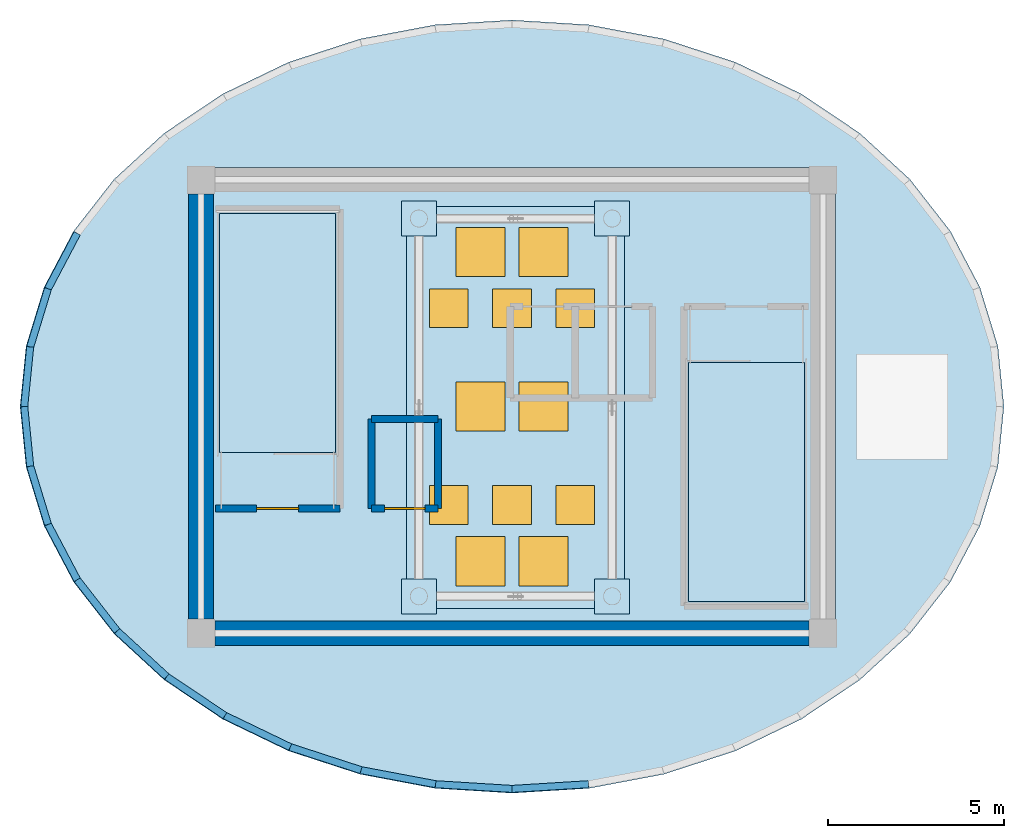
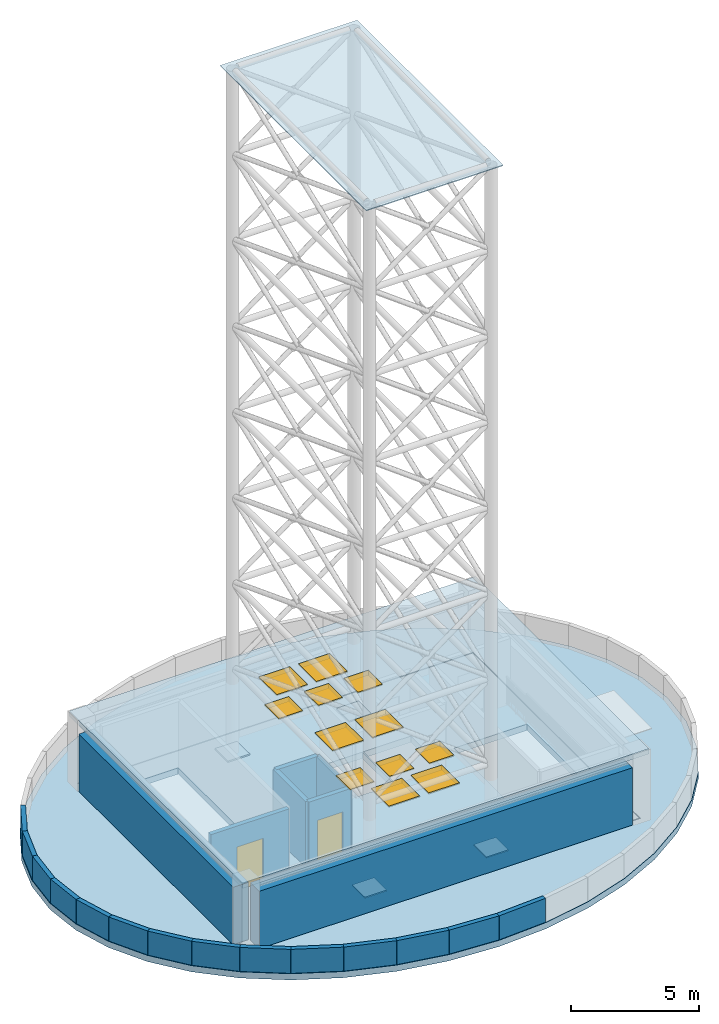
# One storey, part 3 of 6: 21 walls, 12 windows, 5 plates, 3 slabs, 2 doors, 14 openings.
"""IFC4 building model written with IfcOpenShell, lengths in metres."""

from ifc_helpers import new_model, si_unit, direction, frame, frame_2d, origin, origin_2d, place, context, subcontext, project, spatial, polyline, rectangle, outline, extrude, source, transform, mapped, material, layer, layer_set, type_object, element, fill, save


model = new_model("IFC4")

# Units and contexts
model_context = context("Model", 3, precision=1e-05, world=origin(), true_north=direction((0.0, 1.0)))
body_context = subcontext(model_context, "Body", "Model", "MODEL_VIEW")
ifc_project = project(units=[si_unit("LENGTHUNIT", "METRE"), si_unit("AREAUNIT", "SQUARE_METRE"), si_unit("VOLUMEUNIT", "CUBIC_METRE"), si_unit("PLANEANGLEUNIT", "RADIAN"), si_unit("MASSUNIT", "GRAM", prefix="KILO")], contexts=[model_context])

# Site, building, storey
site_placement = place(None, origin())
site = spatial("IfcSite", under=ifc_project, at=site_placement, CompositionType="ELEMENT")
building_placement = place(site_placement, origin())
building = spatial("IfcBuilding", under=site, at=building_placement, Name="Linh Dai School and Residence Tower", CompositionType="ELEMENT")
storey_placement = place(building_placement, frame((0.0, 0.0, 373.199951171875)))
storey = spatial("IfcBuildingStorey", under=building, at=storey_placement, Name="RF", CompositionType="ELEMENT", Elevation=373.199951171875)

# Slabs
ifc_material_1 = material(Name="Concrete B45 (C35/45)", Category="concrete")
ifc_layer_1 = layer(ifc_material_1, 0.300048828125)
ifc_layer_set_1 = layer_set([ifc_layer_1], Name="Concrete B45 (C35/45)")
slab_type_1 = type_object("IfcSlabType", Name="SLB-FLR300", PredefinedType="FLOOR", material=ifc_layer_set_1)
slab_1_placement = place(storey_placement, frame((0.0, 0.0, -0.300048828125)))
element("IfcSlab", 1, at=slab_1_placement, inside=storey, type_object=slab_type_1, Name="RF Mast Access Vestibule Structural Floor Slab", PredefinedType="FLOOR", context=body_context, shape_type="SweptSolid", body=[
    extrude(outline(polyline([(27.080078125, 20.47998046875), (44.919921875, 20.47998046875), (44.919921875, 33.52001953125), (27.080078125, 33.52001953125), (27.080078125, 20.47998046875)]), holes=[polyline([(30.97998046875, 25.699951171875), (30.97998046875, 32.5), (27.679931640625, 32.5), (27.679931640625, 25.699951171875), (30.97998046875, 25.699951171875)]), polyline([(41.02001953125, 28.25), (41.02001953125, 21.449951171875), (44.320068359375, 21.449951171875), (44.320068359375, 28.25), (41.02001953125, 28.25)]), polyline([(35.97998046875, 27.280029296875), (37.77001953125, 27.280029296875), (37.77001953125, 29.820068359375), (35.97998046875, 29.820068359375), (35.97998046875, 27.280029296875)]), polyline([(32.030029296875, 24.1298828125), (33.8701171875, 24.1298828125), (33.8701171875, 26.6201171875), (32.030029296875, 26.6201171875), (32.030029296875, 24.1298828125)]), polyline([(37.830078125, 27.280029296875), (39.969970703125, 27.280029296875), (39.969970703125, 29.820068359375), (37.830078125, 29.820068359375), (37.830078125, 27.280029296875)])]), origin(), (0.0, 0.0, 1.0), 0.300048828125),
])
ifc_layer_2 = layer(ifc_material_1, 0.300048828125)
ifc_layer_set_2 = layer_set([ifc_layer_2], Name="Concrete B45 (C35/45)")
slab_type_2 = type_object("IfcSlabType", Name="SLB-ROOF300", PredefinedType="ROOF", material=ifc_layer_set_2)
slab_2_placement = place(storey_placement, frame((0.0, 0.0, -0.300048828125)))
element("IfcSlab", 2, at=slab_2_placement, inside=storey, type_object=slab_type_2, Name="RF Crown Plant Drum Structural Roof Slab", PredefinedType="ROOF", context=body_context, shape_type="SweptSolid", body=[
    extrude(outline(polyline([(50.0, 27.0), (49.82763671875, 28.720703125), (49.314697265625, 30.399169921875), (48.47412109375, 31.993896484375), (47.326171875, 33.465576171875), (45.8994140625, 34.778076171875), (44.22900390625, 35.899169921875), (42.35595703125, 36.801025390625), (40.326171875, 37.461669921875), (38.190185546875, 37.864501953125), (36.0, 38.0), (33.809814453125, 37.864501953125), (31.673828125, 37.461669921875), (29.64404296875, 36.801025390625), (27.77099609375, 35.899169921875), (26.1005859375, 34.778076171875), (24.673828125, 33.465576171875), (23.52587890625, 31.993896484375), (22.685302734375, 30.399169921875), (22.17236328125, 28.720703125), (22.0, 27.0), (22.17236328125, 25.279296875), (22.685302734375, 23.600830078125), (23.52587890625, 22.006103515625), (24.673828125, 20.534423828125), (26.1005859375, 19.221923828125), (27.77099609375, 18.100830078125), (29.64404296875, 17.198974609375), (31.673828125, 16.538330078125), (33.809814453125, 16.135498046875), (36.0, 16.0), (38.190185546875, 16.135498046875), (40.326171875, 16.538330078125), (42.35595703125, 17.198974609375), (44.22900390625, 18.100830078125), (45.8994140625, 19.221923828125), (47.326171875, 20.534423828125), (48.47412109375, 22.006103515625), (49.314697265625, 23.600830078125), (49.82763671875, 25.279296875), (50.0, 27.0)]), holes=[polyline([(27.050048828125, 20.449951171875), (44.949951171875, 20.449951171875), (44.949951171875, 33.550048828125), (27.050048828125, 33.550048828125), (27.050048828125, 20.449951171875)])]), origin(), (0.0, 0.0, 1.0), 0.300048828125),
])

# Slab, openings, windows
ifc_layer_3 = layer(ifc_material_1, 0.25)
ifc_layer_set_3 = layer_set([ifc_layer_3], Name="Concrete B45 (C35/45)")
slab_type_3 = type_object("IfcSlabType", Name="SLB-VCAP250", PredefinedType="USERDEFINED", material=ifc_layer_set_3)
slab_3_placement = place(storey_placement, frame((0.0, 0.0, 3.150146484375)))
slab_3 = element("IfcSlab", 3, at=slab_3_placement, inside=storey, type_object=slab_type_3, Name="RF Mast Access Vestibule Cap Slab", ObjectType="HEADHOUSE CAP", PredefinedType="USERDEFINED", context=body_context, shape_type="SweptSolid", body=[
    extrude(outline(polyline([(26.800048828125, 20.199951171875), (45.199951171875, 20.199951171875), (45.199951171875, 33.800048828125), (26.800048828125, 33.800048828125), (26.800048828125, 20.199951171875)])), origin(), (0.0, 0.0, 1.0), 0.25),
])
opening_1_placement = place(slab_3_placement, frame((34.199951171875, 24.199951171875, -0.010009765625)))
opening_1 = element("IfcOpeningElement", 4, at=opening_1_placement, cuts=slab_3, Name="Opening RH1", PredefinedType="OPENING", context=body_context, shape_type="SweptSolid", body=[
    extrude(rectangle(XDim=1.10009765625, YDim=1.10009765625, at=origin_2d()), origin(), (0.0, 0.0, 1.0), 0.27001953125),
])
opening_2_placement = place(slab_3_placement, frame((36.0, 24.199951171875, -0.010009765625)))
opening_2 = element("IfcOpeningElement", 5, at=opening_2_placement, cuts=slab_3, Name="Opening RH1", PredefinedType="OPENING", context=body_context, shape_type="SweptSolid", body=[
    extrude(rectangle(XDim=1.10009765625, YDim=1.10009765625, at=origin_2d()), origin(), (0.0, 0.0, 1.0), 0.27001953125),
])
opening_3_placement = place(slab_3_placement, frame((37.800048828125, 24.199951171875, -0.010009765625)))
opening_3 = element("IfcOpeningElement", 6, at=opening_3_placement, cuts=slab_3, Name="Opening RH1", PredefinedType="OPENING", context=body_context, shape_type="SweptSolid", body=[
    extrude(rectangle(XDim=1.10009765625, YDim=1.10009765625, at=origin_2d()), origin(), (0.0, 0.0, 1.0), 0.27001953125),
])
opening_4_placement = place(slab_3_placement, frame((34.199951171875, 29.800048828125, -0.010009765625)))
opening_4 = element("IfcOpeningElement", 7, at=opening_4_placement, cuts=slab_3, Name="Opening RH1", PredefinedType="OPENING", context=body_context, shape_type="SweptSolid", body=[
    extrude(rectangle(XDim=1.10009765625, YDim=1.10009765625, at=origin_2d()), origin(), (0.0, 0.0, 1.0), 0.27001953125),
])
opening_5_placement = place(slab_3_placement, frame((36.0, 29.800048828125, -0.010009765625)))
opening_5 = element("IfcOpeningElement", 8, at=opening_5_placement, cuts=slab_3, Name="Opening RH1", PredefinedType="OPENING", context=body_context, shape_type="SweptSolid", body=[
    extrude(rectangle(XDim=1.10009765625, YDim=1.10009765625, at=origin_2d()), origin(), (0.0, 0.0, 1.0), 0.27001953125),
])
opening_6_placement = place(slab_3_placement, frame((37.800048828125, 29.800048828125, -0.010009765625)))
opening_6 = element("IfcOpeningElement", 9, at=opening_6_placement, cuts=slab_3, Name="Opening RH1", PredefinedType="OPENING", context=body_context, shape_type="SweptSolid", body=[
    extrude(rectangle(XDim=1.10009765625, YDim=1.10009765625, at=origin_2d()), origin(), (0.0, 0.0, 1.0), 0.27001953125),
])
opening_7_placement = place(slab_3_placement, frame((35.10009765625, 22.60009765625, -0.010009765625)))
opening_7 = element("IfcOpeningElement", 10, at=opening_7_placement, cuts=slab_3, Name="Opening W6", PredefinedType="OPENING", context=body_context, shape_type="SweptSolid", body=[
    extrude(rectangle(XDim=1.39990234375, YDim=1.39990234375, at=origin_2d()), origin(), (0.0, 0.0, 1.0), 0.27001953125),
])
opening_8_placement = place(slab_3_placement, frame((36.89990234375, 22.60009765625, -0.010009765625)))
opening_8 = element("IfcOpeningElement", 11, at=opening_8_placement, cuts=slab_3, Name="Opening W6", PredefinedType="OPENING", context=body_context, shape_type="SweptSolid", body=[
    extrude(rectangle(XDim=1.39990234375, YDim=1.39990234375, at=origin_2d()), origin(), (0.0, 0.0, 1.0), 0.27001953125),
])
opening_9_placement = place(slab_3_placement, frame((35.10009765625, 27.0, -0.010009765625)))
opening_9 = element("IfcOpeningElement", 12, at=opening_9_placement, cuts=slab_3, Name="Opening W6", PredefinedType="OPENING", context=body_context, shape_type="SweptSolid", body=[
    extrude(rectangle(XDim=1.39990234375, YDim=1.39990234375, at=origin_2d()), origin(), (0.0, 0.0, 1.0), 0.27001953125),
])
opening_10_placement = place(slab_3_placement, frame((36.89990234375, 27.0, -0.010009765625)))
opening_10 = element("IfcOpeningElement", 13, at=opening_10_placement, cuts=slab_3, Name="Opening W6", PredefinedType="OPENING", context=body_context, shape_type="SweptSolid", body=[
    extrude(rectangle(XDim=1.39990234375, YDim=1.39990234375, at=origin_2d()), origin(), (0.0, 0.0, 1.0), 0.27001953125),
])
opening_11_placement = place(slab_3_placement, frame((35.10009765625, 31.39990234375, -0.010009765625)))
opening_11 = element("IfcOpeningElement", 14, at=opening_11_placement, cuts=slab_3, Name="Opening W6", PredefinedType="OPENING", context=body_context, shape_type="SweptSolid", body=[
    extrude(rectangle(XDim=1.39990234375, YDim=1.39990234375, at=origin_2d()), origin(), (0.0, 0.0, 1.0), 0.27001953125),
])
opening_12_placement = place(slab_3_placement, frame((36.89990234375, 31.39990234375, -0.010009765625)))
opening_12 = element("IfcOpeningElement", 15, at=opening_12_placement, cuts=slab_3, Name="Opening W6", PredefinedType="OPENING", context=body_context, shape_type="SweptSolid", body=[
    extrude(rectangle(XDim=1.39990234375, YDim=1.39990234375, at=origin_2d()), origin(), (0.0, 0.0, 1.0), 0.27001953125),
])
ifc_material_2 = material(Name="Insulated Aluminium Roof Hatch", Category="aluminium")
window_type_1 = type_object("IfcWindowType", Name="WN-HT-1100x1100", PartitioningType="SINGLE_PANEL", PredefinedType="SKYLIGHT", material=ifc_material_2)
window_1_placement = place(opening_1_placement, frame((0.0, 0.0, 0.2099609375)))
window_1 = element("IfcWindow", 16, at=window_1_placement, inside=storey, type_object=window_type_1, Name="RF Roof Access Hatch 01", OverallHeight=1.10009765625, OverallWidth=1.10009765625, PartitioningType="SINGLE_PANEL", PredefinedType="SKYLIGHT", context=body_context, shape_type="SweptSolid", body=[
    extrude(rectangle(XDim=1.10009765625, YDim=1.10009765625, at=origin_2d()), origin(), (0.0, 0.0, 1.0), 0.050048828125),
])
fill(opening_1, window_1)
window_2_placement = place(opening_2_placement, frame((0.0, 0.0, 0.2099609375)))
window_2 = element("IfcWindow", 17, at=window_2_placement, inside=storey, type_object=window_type_1, Name="RF Roof Access Hatch 02", OverallHeight=1.10009765625, OverallWidth=1.10009765625, PartitioningType="SINGLE_PANEL", PredefinedType="SKYLIGHT", context=body_context, shape_type="SweptSolid", body=[
    extrude(rectangle(XDim=1.10009765625, YDim=1.10009765625, at=origin_2d()), origin(), (0.0, 0.0, 1.0), 0.050048828125),
])
fill(opening_2, window_2)
window_3_placement = place(opening_3_placement, frame((0.0, 0.0, 0.2099609375)))
window_3 = element("IfcWindow", 18, at=window_3_placement, inside=storey, type_object=window_type_1, Name="RF Roof Access Hatch 03", OverallHeight=1.10009765625, OverallWidth=1.10009765625, PartitioningType="SINGLE_PANEL", PredefinedType="SKYLIGHT", context=body_context, shape_type="SweptSolid", body=[
    extrude(rectangle(XDim=1.10009765625, YDim=1.10009765625, at=origin_2d()), origin(), (0.0, 0.0, 1.0), 0.050048828125),
])
fill(opening_3, window_3)
window_4_placement = place(opening_4_placement, frame((0.0, 0.0, 0.2099609375)))
window_4 = element("IfcWindow", 19, at=window_4_placement, inside=storey, type_object=window_type_1, Name="RF Roof Access Hatch 04", OverallHeight=1.10009765625, OverallWidth=1.10009765625, PartitioningType="SINGLE_PANEL", PredefinedType="SKYLIGHT", context=body_context, shape_type="SweptSolid", body=[
    extrude(rectangle(XDim=1.10009765625, YDim=1.10009765625, at=origin_2d()), origin(), (0.0, 0.0, 1.0), 0.050048828125),
])
fill(opening_4, window_4)
window_5_placement = place(opening_5_placement, frame((0.0, 0.0, 0.2099609375)))
window_5 = element("IfcWindow", 20, at=window_5_placement, inside=storey, type_object=window_type_1, Name="RF Roof Access Hatch 05", OverallHeight=1.10009765625, OverallWidth=1.10009765625, PartitioningType="SINGLE_PANEL", PredefinedType="SKYLIGHT", context=body_context, shape_type="SweptSolid", body=[
    extrude(rectangle(XDim=1.10009765625, YDim=1.10009765625, at=origin_2d()), origin(), (0.0, 0.0, 1.0), 0.050048828125),
])
fill(opening_5, window_5)
window_6_placement = place(opening_6_placement, frame((0.0, 0.0, 0.2099609375)))
window_6 = element("IfcWindow", 21, at=window_6_placement, inside=storey, type_object=window_type_1, Name="RF Roof Access Hatch 06", OverallHeight=1.10009765625, OverallWidth=1.10009765625, PartitioningType="SINGLE_PANEL", PredefinedType="SKYLIGHT", context=body_context, shape_type="SweptSolid", body=[
    extrude(rectangle(XDim=1.10009765625, YDim=1.10009765625, at=origin_2d()), origin(), (0.0, 0.0, 1.0), 0.050048828125),
])
fill(opening_6, window_6)
ifc_material_3 = material(Name="Laminated Safety Skylight Glazing", Category="glass")
window_type_2 = type_object("IfcWindowType", Name="WN-LD-1400x1400", PartitioningType="SINGLE_PANEL", PredefinedType="LIGHTDOME", material=ifc_material_3)
window_7_placement = place(opening_7_placement, frame((0.0, 0.0, 0.2099609375)))
window_7 = element("IfcWindow", 22, at=window_7_placement, inside=storey, type_object=window_type_2, Name="RF Vestibule Daylight Dome 01", OverallHeight=1.39990234375, OverallWidth=1.39990234375, PartitioningType="SINGLE_PANEL", PredefinedType="LIGHTDOME", context=body_context, shape_type="SweptSolid", body=[
    extrude(rectangle(XDim=1.39990234375, YDim=1.39990234375, at=origin_2d()), origin(), (0.0, 0.0, 1.0), 0.050048828125),
])
fill(opening_7, window_7)
window_8_placement = place(opening_8_placement, frame((0.0, 0.0, 0.2099609375)))
window_8 = element("IfcWindow", 23, at=window_8_placement, inside=storey, type_object=window_type_2, Name="RF Vestibule Daylight Dome 02", OverallHeight=1.39990234375, OverallWidth=1.39990234375, PartitioningType="SINGLE_PANEL", PredefinedType="LIGHTDOME", context=body_context, shape_type="SweptSolid", body=[
    extrude(rectangle(XDim=1.39990234375, YDim=1.39990234375, at=origin_2d()), origin(), (0.0, 0.0, 1.0), 0.050048828125),
])
fill(opening_8, window_8)
window_9_placement = place(opening_9_placement, frame((0.0, 0.0, 0.2099609375)))
window_9 = element("IfcWindow", 24, at=window_9_placement, inside=storey, type_object=window_type_2, Name="RF Vestibule Daylight Dome 03", OverallHeight=1.39990234375, OverallWidth=1.39990234375, PartitioningType="SINGLE_PANEL", PredefinedType="LIGHTDOME", context=body_context, shape_type="SweptSolid", body=[
    extrude(rectangle(XDim=1.39990234375, YDim=1.39990234375, at=origin_2d()), origin(), (0.0, 0.0, 1.0), 0.050048828125),
])
fill(opening_9, window_9)
window_10_placement = place(opening_10_placement, frame((0.0, 0.0, 0.2099609375)))
window_10 = element("IfcWindow", 25, at=window_10_placement, inside=storey, type_object=window_type_2, Name="RF Vestibule Daylight Dome 04", OverallHeight=1.39990234375, OverallWidth=1.39990234375, PartitioningType="SINGLE_PANEL", PredefinedType="LIGHTDOME", context=body_context, shape_type="SweptSolid", body=[
    extrude(rectangle(XDim=1.39990234375, YDim=1.39990234375, at=origin_2d()), origin(), (0.0, 0.0, 1.0), 0.050048828125),
])
fill(opening_10, window_10)
window_11_placement = place(opening_11_placement, frame((0.0, 0.0, 0.2099609375)))
window_11 = element("IfcWindow", 26, at=window_11_placement, inside=storey, type_object=window_type_2, Name="RF Vestibule Daylight Dome 05", OverallHeight=1.39990234375, OverallWidth=1.39990234375, PartitioningType="SINGLE_PANEL", PredefinedType="LIGHTDOME", context=body_context, shape_type="SweptSolid", body=[
    extrude(rectangle(XDim=1.39990234375, YDim=1.39990234375, at=origin_2d()), origin(), (0.0, 0.0, 1.0), 0.050048828125),
])
fill(opening_11, window_11)
window_12_placement = place(opening_12_placement, frame((0.0, 0.0, 0.2099609375)))
window_12 = element("IfcWindow", 27, at=window_12_placement, inside=storey, type_object=window_type_2, Name="RF Vestibule Daylight Dome 06", OverallHeight=1.39990234375, OverallWidth=1.39990234375, PartitioningType="SINGLE_PANEL", PredefinedType="LIGHTDOME", context=body_context, shape_type="SweptSolid", body=[
    extrude(rectangle(XDim=1.39990234375, YDim=1.39990234375, at=origin_2d()), origin(), (0.0, 0.0, 1.0), 0.050048828125),
])
fill(opening_12, window_12)

# Plates
ifc_material_4 = material(Name="Structural Steel S355JR", Category="steel")
ifc_layer_4 = layer(ifc_material_4, 0.06005859375)
ifc_layer_set_4 = layer_set([ifc_layer_4], Name="Structural Steel S355JR")
plate_type_1 = type_object("IfcPlateType", Name="PLT-MBP1", PredefinedType="USERDEFINED", material=ifc_layer_set_4)
shared_shape_1 = source(origin(), body_context, "Body", "SweptSolid", [
    extrude(rectangle(XDim=1.0, YDim=1.0, at=origin_2d()), origin(), (0.0, 0.0, 1.0), 0.06005859375),
])
for number, where, z_axis, x_axis, name in (
    (28, (33.35009765625, 21.60009765625, 0.0), (0.0, 0.0, 1.0), (1.0, 0.0, 0.0), "RF Lattice Broadcast Mast Base Plate MBP1-1"),
    (29, (38.85009765625, 21.60009765625, 0.0), (0.0, 0.0, 1.0), (1.0, 0.0, 0.0), "RF Lattice Broadcast Mast Base Plate MBP1-2"),
    (30, (38.85009765625, 32.35009765625, 0.0), (0.0, 0.0, 1.0), (1.0, 0.0, 0.0), "RF Lattice Broadcast Mast Base Plate MBP1-3"),
    (31, (33.35009765625, 32.35009765625, 0.0), (0.0, 0.0, 1.0), (1.0, 0.0, 0.0), "RF Lattice Broadcast Mast Base Plate MBP1-4"),
):
    element("IfcPlate", number, at=place(storey_placement, frame(where, z_axis=z_axis, x_axis=x_axis)), inside=storey, type_object=plate_type_1, Name=name, ObjectType="BASE PLATE", PredefinedType="USERDEFINED", context=body_context, shape_type="MappedRepresentation", body=[
        mapped(shared_shape_1, transform((0.0, 0.0, 0.0), x_axis=(1.0, 0.0, 0.0), y_axis=(0.0, 1.0, 0.0), z_axis=(0.0, 0.0, 1.0), scale=1.0)),
    ])
ifc_layer_5 = layer(ifc_material_4, 0.0400390625)
ifc_layer_set_5 = layer_set([ifc_layer_5], Name="Structural Steel S355JR")
plate_type_2 = type_object("IfcPlateType", Name="PLT-GP1", PredefinedType="USERDEFINED", material=ifc_layer_set_5)
shared_shape_2 = source(origin(), body_context, "Body", "SweptSolid", [
    extrude(rectangle(XDim=6.199951171875, YDim=11.449951171875, at=origin_2d()), origin(), (0.0, 0.0, 1.0), 0.0400390625),
])
plate_placement = place(storey_placement, frame((36.10009765625, 26.97509765625, 32.760009765625), z_axis=(0.0, 0.0, 1.0), x_axis=(1.0, 0.0, 0.0)))
element("IfcPlate", 32, at=plate_placement, inside=storey, type_object=plate_type_2, Name="RF Lattice Broadcast Mast Summit Cap Plate (+406.00 m)", ObjectType="GUSSET PLATE", PredefinedType="USERDEFINED", context=body_context, shape_type="MappedRepresentation", body=[
    mapped(shared_shape_2, transform((0.0, 0.0, 0.0), x_axis=(1.0, 0.0, 0.0), y_axis=(0.0, 1.0, 0.0), z_axis=(0.0, 0.0, 1.0), scale=1.0)),
])

# Walls
ifc_material_5 = material(Name="Precast Concrete B45 (C35/45)", Category="concrete")
ifc_layer_6 = layer(ifc_material_5, 0.199951171875)
ifc_layer_set_6 = layer_set([ifc_layer_6], Name="Precast Concrete B45 (C35/45)")
wall_type_1 = type_object("IfcWallType", Name="EW-PAR-200", PredefinedType="PARAPET", material=ifc_layer_set_6)
wall_1_placement = place(storey_placement, frame((22.796142578125, 30.353271484375, 0.0), z_axis=(0.0, 0.0, 1.0), x_axis=(0.466356505191, 0.884596863021, 0.0)))
element("IfcWall", 33, at=wall_1_placement, inside=storey, type_object=wall_type_1, Name="RF Roof Perimeter Parapet 18", PredefinedType="PARAPET", context=body_context, shape_type="SweptSolid", body=[
    extrude(rectangle(XDim=1.781005859375, YDim=0.199951171875, at=frame_2d((0.890625, 0.0))), origin(), (0.0, 0.0, 1.0), 1.150146484375),
])
wall_2_placement = place(storey_placement, frame((22.2900390625, 28.697021484375, 0.0), z_axis=(0.0, 0.0, 1.0), x_axis=(0.292232861482, 0.956347193581, 0.0)))
element("IfcWall", 34, at=wall_2_placement, inside=storey, type_object=wall_type_1, Name="RF Roof Perimeter Parapet 19", PredefinedType="PARAPET", context=body_context, shape_type="SweptSolid", body=[
    extrude(rectangle(XDim=1.73193359375, YDim=0.199951171875, at=frame_2d((0.865966796875, 0.0))), origin(), (0.0, 0.0, 1.0), 1.150146484375),
])
for number, where, z_axis, x_axis, name in (
    (35, (22.1201171875, 27.0, 0.0), (0.0, 0.0, 1.0), (0.09963127617, 0.995024426237, 0.0), "RF Roof Perimeter Parapet 20"),
    (36, (22.2900390625, 25.302978515625, 0.0), (0.0, 0.0, 1.0), (-0.09963127617, 0.995024426237, 0.0), "RF Roof Perimeter Parapet 21"),
):
    element("IfcWall", number, at=place(storey_placement, frame(where, z_axis=z_axis, x_axis=x_axis)), inside=storey, type_object=wall_type_1, Name=name, PredefinedType="PARAPET", context=body_context, shape_type="SweptSolid", body=[
        extrude(rectangle(XDim=1.70556640625, YDim=0.199951171875, at=frame_2d((0.852783203125, 0.0))), origin(), (0.0, 0.0, 1.0), 1.150146484375),
    ])
wall_3_placement = place(storey_placement, frame((22.796142578125, 23.646728515625, 0.0), z_axis=(0.0, 0.0, 1.0), x_axis=(-0.292232861482, 0.956347193581, 0.0)))
element("IfcWall", 37, at=wall_3_placement, inside=storey, type_object=wall_type_1, Name="RF Roof Perimeter Parapet 22", PredefinedType="PARAPET", context=body_context, shape_type="SweptSolid", body=[
    extrude(rectangle(XDim=1.73193359375, YDim=0.199951171875, at=frame_2d((0.865966796875, 0.0))), origin(), (0.0, 0.0, 1.0), 1.150146484375),
])
wall_4_placement = place(storey_placement, frame((23.626708984375, 22.0712890625, 0.0), z_axis=(0.0, 0.0, 1.0), x_axis=(-0.466356505191, 0.884596863021, 0.0)))
element("IfcWall", 38, at=wall_4_placement, inside=storey, type_object=wall_type_1, Name="RF Roof Perimeter Parapet 23", PredefinedType="PARAPET", context=body_context, shape_type="SweptSolid", body=[
    extrude(rectangle(XDim=1.781005859375, YDim=0.199951171875, at=frame_2d((0.890625, 0.0))), origin(), (0.0, 0.0, 1.0), 1.150146484375),
])
wall_5_placement = place(storey_placement, frame((24.761962890625, 20.61572265625, 0.0), z_axis=(0.0, 0.0, 1.0), x_axis=(-0.615002195504, 0.788525395612, 0.0)))
element("IfcWall", 39, at=wall_5_placement, inside=storey, type_object=wall_type_1, Name="RF Roof Perimeter Parapet 24", PredefinedType="PARAPET", context=body_context, shape_type="SweptSolid", body=[
    extrude(rectangle(XDim=1.845947265625, YDim=0.199951171875, at=frame_2d((0.9228515625, 0.0))), origin(), (0.0, 0.0, 1.0), 1.150146484375),
])
wall_6_placement = place(storey_placement, frame((26.174560546875, 19.316162109375, 0.0), z_axis=(0.0, 0.0, 1.0), x_axis=(-0.735938616842, 0.677048264336, 0.0)))
element("IfcWall", 40, at=wall_6_placement, inside=storey, type_object=wall_type_1, Name="RF Roof Perimeter Parapet 25", PredefinedType="PARAPET", context=body_context, shape_type="SweptSolid", body=[
    extrude(rectangle(XDim=1.91943359375, YDim=0.199951171875, at=frame_2d((0.959716796875, 0.0))), origin(), (0.0, 0.0, 1.0), 1.150146484375),
])
wall_7_placement = place(storey_placement, frame((27.83056640625, 18.205078125, 0.0), z_axis=(0.0, 0.0, 1.0), x_axis=(-0.830408053817, 0.557155691128, 0.0)))
element("IfcWall", 41, at=wall_7_placement, inside=storey, type_object=wall_type_1, Name="RF Roof Perimeter Parapet 26", PredefinedType="PARAPET", context=body_context, shape_type="SweptSolid", body=[
    extrude(rectangle(XDim=1.994140625, YDim=0.199951171875, at=frame_2d((0.9970703125, 0.0))), origin(), (0.0, 0.0, 1.0), 1.150146484375),
])
wall_8_placement = place(storey_placement, frame((29.688720703125, 17.310302734375, 0.0), z_axis=(0.0, 0.0, 1.0), x_axis=(-0.900981104054, 0.43385832957, 0.0)))
element("IfcWall", 42, at=wall_8_placement, inside=storey, type_object=wall_type_1, Name="RF Roof Perimeter Parapet 27", PredefinedType="PARAPET", context=body_context, shape_type="SweptSolid", body=[
    extrude(rectangle(XDim=2.062255859375, YDim=0.199951171875, at=frame_2d((1.03125, 0.0))), origin(), (0.0, 0.0, 1.0), 1.150146484375),
])
wall_9_placement = place(storey_placement, frame((31.703369140625, 16.654541015625, 0.0), z_axis=(0.0, 0.0, 1.0), x_axis=(-0.950895094954, 0.309513357374, 0.0)))
element("IfcWall", 43, at=wall_9_placement, inside=storey, type_object=wall_type_1, Name="RF Roof Perimeter Parapet 28", PredefinedType="PARAPET", context=body_context, shape_type="SweptSolid", body=[
    extrude(rectangle(XDim=2.11865234375, YDim=0.199951171875, at=frame_2d((1.059326171875, 0.0))), origin(), (0.0, 0.0, 1.0), 1.150146484375),
])
wall_10_placement = place(storey_placement, frame((33.82470703125, 16.25439453125, 0.0), z_axis=(0.0, 0.0, 1.0), x_axis=(-0.982670594351, 0.185360467734, 0.0)))
element("IfcWall", 44, at=wall_10_placement, inside=storey, type_object=wall_type_1, Name="RF Roof Perimeter Parapet 29", PredefinedType="PARAPET", context=body_context, shape_type="SweptSolid", body=[
    extrude(rectangle(XDim=2.15869140625, YDim=0.199951171875, at=frame_2d((1.079345703125, 0.0))), origin(), (0.0, 0.0, 1.0), 1.150146484375),
])
for number, where, z_axis, x_axis, name in (
    (45, (36.0, 16.1201171875, 0.0), (0.0, 0.0, 1.0), (-0.998100230056, 0.061611125312, 0.0), "RF Roof Perimeter Parapet 30"),
    (46, (38.17529296875, 16.25439453125, 0.0), (0.0, 0.0, 1.0), (-0.998100230056, -0.061611125312, 0.0), "RF Roof Perimeter Parapet 31"),
):
    element("IfcWall", number, at=place(storey_placement, frame(where, z_axis=z_axis, x_axis=x_axis)), inside=storey, type_object=wall_type_1, Name=name, PredefinedType="PARAPET", context=body_context, shape_type="SweptSolid", body=[
        extrude(rectangle(XDim=2.179443359375, YDim=0.199951171875, at=frame_2d((1.08984375, 0.0))), origin(), (0.0, 0.0, 1.0), 1.150146484375),
    ])

# Wall, opening, door
ifc_layer_7 = layer(ifc_material_1, 0.199951171875)
ifc_layer_set_7 = layer_set([ifc_layer_7], Name="Concrete B45 (C35/45)")
wall_type_2 = type_object("IfcWallType", Name="IW-SHAFT-200-EI120", PredefinedType="PARTITIONING", material=ifc_layer_set_7)
wall_11_placement = place(storey_placement, frame((27.56005859375, 24.10009765625, 0.0), z_axis=(0.0, 0.0, 1.0), x_axis=(1.0, 0.0, 0.0)))
wall_11 = element("IfcWall", 47, at=wall_11_placement, inside=storey, type_object=wall_type_2, Name="RF Interior Partition Wall 001", PredefinedType="PARTITIONING", context=body_context, shape_type="SweptSolid", body=[
    extrude(rectangle(XDim=3.5400390625, YDim=0.199951171875, at=frame_2d((1.77001953125, 0.0))), origin(), (0.0, 0.0, 1.0), 3.150146484375),
])
opening_13_placement = place(wall_11_placement, frame((1.169921875, 0.0, 0.0)))
opening_13 = element("IfcOpeningElement", 48, at=opening_13_placement, cuts=wall_11, Name="Opening D01", PredefinedType="OPENING", context=body_context, shape_type="SweptSolid", body=[
    extrude(rectangle(XDim=1.199951171875, YDim=2.14990234375, at=origin_2d()), frame((0.60009765625, 0.10986328125, 1.074951171875), z_axis=(0.0, -1.0, 0.0), x_axis=(1.0, 0.0, 0.0)), (0.0, 0.0, 1.0), 0.219970703125),
])
ifc_material_6 = material(Name="Fire-Rated Steel Door Leaf", Category="steel")
door_type_1 = type_object("IfcDoorType", Name="DR-STAIR-1200x2150-FD90S", OperationType="NOTDEFINED", PredefinedType="DOOR", material=ifc_material_6)
shared_shape_3 = source(origin(), body_context, "Body", "SweptSolid", [
    extrude(rectangle(XDim=1.199951171875, YDim=2.14990234375, at=origin_2d()), frame((0.60009765625, 0.02490234375, 1.074951171875), z_axis=(0.0, -1.0, 0.0), x_axis=(1.0, 0.0, 0.0)), (0.0, 0.0, 1.0), 0.050048828125),
])
door_1_placement = place(opening_13_placement, origin())
door_1 = element("IfcDoor", 49, at=door_1_placement, inside=storey, type_object=door_type_1, Name="RF Core Smokeproof Exit Stair ST1 Door", OperationType="SINGLE_SWING_LEFT", OverallHeight=2.14990234375, OverallWidth=1.199951171875, PredefinedType="DOOR", context=body_context, shape_type="MappedRepresentation", body=[
    mapped(shared_shape_3, transform((0.0, 0.0, 0.0), x_axis=(1.0, 0.0, 0.0), y_axis=(0.0, 1.0, 0.0), z_axis=(0.0, 0.0, 1.0), scale=1.0)),
])
fill(opening_13, door_1)

# Wall
wall_12_placement = place(storey_placement, frame((32.0, 24.10009765625, 0.0), z_axis=(0.0, 0.0, 1.0), x_axis=(0.0, 1.0, 0.0)))
element("IfcWall", 50, at=wall_12_placement, inside=storey, type_object=wall_type_2, Name="RF Interior Partition Wall 004", PredefinedType="PARTITIONING", context=body_context, shape_type="SweptSolid", body=[
    extrude(rectangle(XDim=2.5498046875, YDim=0.199951171875, at=frame_2d((1.27490234375, 0.0))), origin(), (0.0, 0.0, 1.0), 3.150146484375),
])

# Wall, opening, door
wall_13_placement = place(storey_placement, frame((32.0, 24.10009765625, 0.0), z_axis=(0.0, 0.0, 1.0), x_axis=(1.0, 0.0, 0.0)))
wall_13 = element("IfcWall", 51, at=wall_13_placement, inside=storey, type_object=wall_type_2, Name="RF Interior Partition Wall 005", PredefinedType="PARTITIONING", context=body_context, shape_type="SweptSolid", body=[
    extrude(rectangle(XDim=1.89990234375, YDim=0.199951171875, at=frame_2d((0.949951171875, 0.0))), origin(), (0.0, 0.0, 1.0), 3.150146484375),
])
opening_14_placement = place(wall_13_placement, frame((0.375, 0.0, 0.0)))
opening_14 = element("IfcOpeningElement", 52, at=opening_14_placement, cuts=wall_13, Name="Opening LD-FF2", PredefinedType="OPENING", context=body_context, shape_type="SweptSolid", body=[
    extrude(rectangle(XDim=1.14990234375, YDim=2.14990234375, at=origin_2d()), frame((0.574951171875, 0.10986328125, 1.074951171875), z_axis=(0.0, -1.0, 0.0), x_axis=(1.0, 0.0, 0.0)), (0.0, 0.0, 1.0), 0.219970703125),
])
ifc_material_7 = material(Name="Fire-Rated Stainless Steel Firefighting Lift Door", Category="steel")
door_type_2 = type_object("IfcDoorType", Name="DR-LD-FF-1150x2150-FD120", OperationType="DOUBLE_DOOR_SLIDING", PredefinedType="USERDEFINED", material=ifc_material_7)
shared_shape_4 = source(origin(), body_context, "Body", "SweptSolid", [
    extrude(rectangle(XDim=1.14990234375, YDim=2.14990234375, at=origin_2d()), frame((0.574951171875, 0.02490234375, 1.074951171875), z_axis=(0.0, -1.0, 0.0), x_axis=(1.0, 0.0, 0.0)), (0.0, 0.0, 1.0), 0.050048828125),
])
door_2_placement = place(opening_14_placement, origin())
door_2 = element("IfcDoor", 53, at=door_2_placement, inside=storey, type_object=door_type_2, Name="RF Lift FF2 Sliding Landing Door", ObjectType="LANDING DOOR", OperationType="DOUBLE_DOOR_SLIDING", OverallHeight=2.14990234375, OverallWidth=1.14990234375, PredefinedType="USERDEFINED", context=body_context, shape_type="MappedRepresentation", body=[
    mapped(shared_shape_4, transform((0.0, 0.0, 0.0), x_axis=(1.0, 0.0, 0.0), y_axis=(0.0, 1.0, 0.0), z_axis=(0.0, 0.0, 1.0), scale=1.0)),
])
fill(opening_14, door_2)

# Walls
wall_14_placement = place(storey_placement, frame((32.0, 26.64990234375, 0.0), z_axis=(0.0, 0.0, 1.0), x_axis=(1.0, 0.0, 0.0)))
element("IfcWall", 54, at=wall_14_placement, inside=storey, type_object=wall_type_2, Name="RF Interior Partition Wall 006", PredefinedType="PARTITIONING", context=body_context, shape_type="SweptSolid", body=[
    extrude(rectangle(XDim=1.89990234375, YDim=0.199951171875, at=frame_2d((0.949951171875, 0.0))), origin(), (0.0, 0.0, 1.0), 3.150146484375),
])
wall_15_placement = place(storey_placement, frame((33.89990234375, 24.10009765625, 0.0), z_axis=(0.0, 0.0, 1.0), x_axis=(0.0, 1.0, 0.0)))
element("IfcWall", 55, at=wall_15_placement, inside=storey, type_object=wall_type_2, Name="RF Interior Partition Wall 007", PredefinedType="PARTITIONING", context=body_context, shape_type="SweptSolid", body=[
    extrude(rectangle(XDim=2.5498046875, YDim=0.199951171875, at=frame_2d((1.27490234375, 0.0))), origin(), (0.0, 0.0, 1.0), 3.150146484375),
])
ifc_layer_8 = layer(ifc_material_1, 0.699951171875)
ifc_layer_set_8 = layer_set([ifc_layer_8], Name="Concrete B45 (C35/45)")
wall_type_3 = type_object("IfcWallType", Name="WL-CORE700E", PredefinedType="SHEAR", material=ifc_layer_set_8)
wall_16_placement = place(storey_placement, frame((44.449951171875, 20.550048828125, 0.0), z_axis=(0.0, 0.0, 1.0), x_axis=(-1.0, 0.0, 0.0)))
element("IfcWall", 56, at=wall_16_placement, inside=storey, type_object=wall_type_3, Name="RF Central Core Shear Wall S", PredefinedType="SHEAR", context=body_context, shape_type="SweptSolid", body=[
    extrude(rectangle(XDim=16.89990234375, YDim=0.699951171875, at=frame_2d((8.449951171875, 0.0))), origin(), (0.0, 0.0, 1.0), 2.75),
])
wall_17_placement = place(storey_placement, frame((27.14990234375, 20.949951171875, 0.0), z_axis=(0.0, 0.0, 1.0), x_axis=(0.0, 1.0, 0.0)))
element("IfcWall", 57, at=wall_17_placement, inside=storey, type_object=wall_type_3, Name="RF Central Core Shear Wall W", PredefinedType="SHEAR", context=body_context, shape_type="SweptSolid", body=[
    extrude(rectangle(XDim=12.10009765625, YDim=0.699951171875, at=frame_2d((6.050048828125, 0.0))), origin(), (0.0, 0.0, 1.0), 2.75),
])

save(model, "model.ifc")
